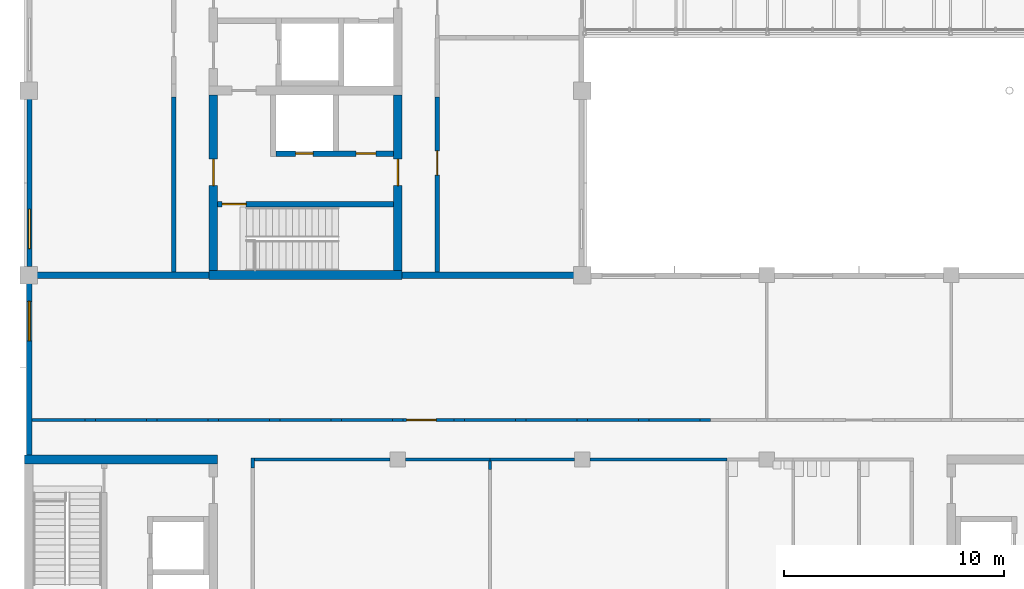
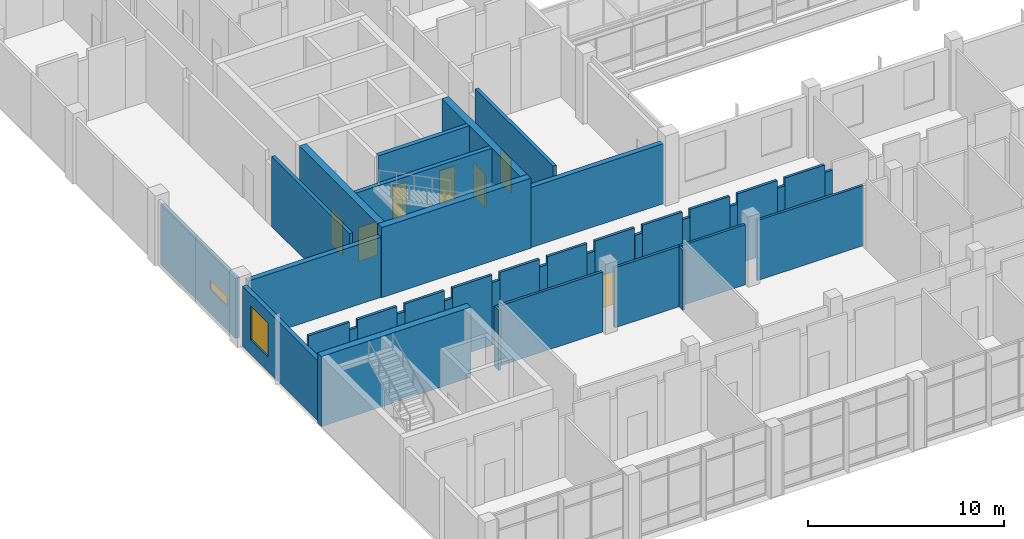
# One storey, part 32 of 70: 40 walls, 7 doors, 2 windows, 9 openings.
"""IFC4 building model written with IfcOpenShell, lengths in metres."""

from ifc_helpers import new_model, si_unit, direction, frame, frame_2d, origin, place, context, subcontext, project, spatial, rectangle, extrude, material, layer, layer_set, type_object, element, fill, save


model = new_model("IFC4")

# Units and contexts
model_context = context("Model", 3, precision=1e-05, world=origin(), true_north=direction((0.0, 1.0)))
body_context = subcontext(model_context, "Body", "Model", "MODEL_VIEW")
ifc_project = project(units=[si_unit("LENGTHUNIT", "METRE"), si_unit("AREAUNIT", "SQUARE_METRE"), si_unit("VOLUMEUNIT", "CUBIC_METRE"), si_unit("PLANEANGLEUNIT", "RADIAN"), si_unit("MASSUNIT", "GRAM", prefix="KILO")], contexts=[model_context])

# Site, building, storey
site_placement = place(None, origin())
site = spatial("IfcSite", under=ifc_project, at=site_placement, CompositionType="ELEMENT")
building_placement = place(site_placement, origin())
building = spatial("IfcBuilding", under=site, at=building_placement, Name="Hlaing Beacon Police Headquarters", CompositionType="ELEMENT")
storey_placement = place(building_placement, frame((0.0, 0.0, 5.39990234375)))
storey = spatial("IfcBuildingStorey", under=building, at=storey_placement, Name="L01", CompositionType="ELEMENT", Elevation=5.39990234375)

# Walls
ifc_material_1 = material(Name="Concrete C40/50", Category="concrete")
ifc_layer_1 = layer(ifc_material_1, 0.300048828125)
ifc_layer_set_1 = layer_set([ifc_layer_1], Name="Concrete C40/50")
wall_type_1 = type_object("IfcWallType", Name="Compartment wall 300", PredefinedType="SOLIDWALL", material=ifc_layer_set_1)
for number, where, z_axis, x_axis, name in (
    (1, (33.219970703125, 33.60009765625, 0.0), (0.0, 0.0, 1.0), (-1.0, 0.0, 0.0), "Compartment wall L01 N051"),
    (2, (16.60009765625, 33.60009765625, 0.0), (0.0, 0.0, 1.0), (-1.0, 0.0, 0.0), "Compartment wall L01 N052"),
):
    element("IfcWall", number, at=place(storey_placement, frame(where, z_axis=z_axis, x_axis=x_axis)), inside=storey, type_object=wall_type_1, Name=name, PredefinedType="SOLIDWALL", context=body_context, shape_type="SweptSolid", body=[
        extrude(rectangle(XDim=7.820068359375, YDim=0.300048828125, at=frame_2d((3.91015625, 0.0))), origin(), (0.0, 0.0, 1.0), 3.74609375),
    ])
ifc_material_2 = material(Name="Concrete C60/75", Category="concrete")
ifc_layer_2 = layer(ifc_material_2, 0.39990234375)
ifc_layer_set_2 = layer_set([ifc_layer_2], Name="Concrete C60/75")
wall_type_2 = type_object("IfcWallType", Name="Core shear wall 400", PredefinedType="SHEAR", material=ifc_layer_set_2)
wall_1_placement = place(storey_placement, frame((8.199951171875, 25.199951171875, 0.0), z_axis=(0.0, 0.0, 1.0), x_axis=(1.0, 0.0, 0.0)))
element("IfcWall", 3, at=wall_1_placement, inside=storey, type_object=wall_type_2, Name="Core shear wall", PredefinedType="SHEAR", context=body_context, shape_type="SweptSolid", body=[
    extrude(rectangle(XDim=8.800048828125, YDim=0.39990234375, at=frame_2d((4.39990234375, 0.0))), origin(), (0.0, 0.0, 1.0), 4.3701171875),
])
wall_2_placement = place(storey_placement, frame((16.60009765625, 33.60009765625, 0.0), z_axis=(0.0, 0.0, 1.0), x_axis=(1.0, 0.0, 0.0)))
element("IfcWall", 4, at=wall_2_placement, inside=storey, type_object=wall_type_2, Name="Core shear wall", PredefinedType="SHEAR", context=body_context, shape_type="SweptSolid", body=[
    extrude(rectangle(XDim=8.7998046875, YDim=0.39990234375, at=frame_2d((4.39990234375, 0.0))), origin(), (0.0, 0.0, 1.0), 4.3701171875),
])

# Wall, opening, door
wall_3_placement = place(storey_placement, frame((16.800048828125, 33.800048828125, 0.0), z_axis=(0.0, 0.0, 1.0), x_axis=(0.0, 1.0, 0.0)))
wall_3 = element("IfcWall", 5, at=wall_3_placement, inside=storey, type_object=wall_type_2, Name="Core shear wall", PredefinedType="SHEAR", context=body_context, shape_type="SweptSolid", body=[
    extrude(rectangle(XDim=8.0, YDim=0.39990234375, at=frame_2d((4.0, 0.0))), origin(), (0.0, 0.0, 1.0), 4.3701171875),
])
opening_1_placement = place(wall_3_placement, frame((3.875, 0.0, 0.0)))
opening_1 = element("IfcOpeningElement", 6, at=opening_1_placement, cuts=wall_3, Name="Opening L01-962", PredefinedType="OPENING", context=body_context, shape_type="SweptSolid", body=[
    extrude(rectangle(XDim=1.199951171875, YDim=2.10009765625, at=frame_2d((0.60009765625, 1.050048828125))), frame((0.0, 0.2099609375, 0.0), z_axis=(0.0, -1.0, 0.0), x_axis=(1.0, 0.0, 0.0)), (0.0, 0.0, 1.0), 0.419921875),
])
ifc_material_3 = material(Name="Steel fire door leaf", Category="steel")
ifc_layer_3 = layer(ifc_material_3, 0.070068359375)
ifc_layer_set_3 = layer_set([ifc_layer_3], Name="Steel fire door leaf")
door_type_1 = type_object("IfcDoorType", Name="Steel fire door FD60S 1200x2100", OperationType="SINGLE_SWING_LEFT", PredefinedType="DOOR", material=ifc_layer_set_3)
door_1_placement = place(opening_1_placement, frame((1.199951171875, 0.0, 0.0), z_axis=(0.0, 0.0, 1.0), x_axis=(-1.0, 0.0, 0.0)))
door_1 = element("IfcDoor", 7, at=door_1_placement, inside=storey, type_object=door_type_1, Name="Door Stair Lobby ST-N Entry", OperationType="SINGLE_SWING_RIGHT", OverallHeight=2.10009765625, OverallWidth=1.199951171875, PredefinedType="DOOR", context=body_context, shape_type="SweptSolid", body=[
    extrude(rectangle(XDim=1.199951171875, YDim=2.10009765625, at=frame_2d((0.599853515625, 1.050048828125))), frame((0.0, 0.034912109375, 0.0), z_axis=(0.0, -1.0, 0.0), x_axis=(1.0, 0.0, 0.0)), (0.0, 0.0, 1.0), 0.070068359375),
])
fill(opening_1, door_1)

wall_4_placement = place(storey_placement, frame((25.199951171875, 33.800048828125, 0.0), z_axis=(0.0, 0.0, 1.0), x_axis=(0.0, 1.0, 0.0)))
wall_4 = element("IfcWall", 8, at=wall_4_placement, inside=storey, type_object=wall_type_2, Name="Core shear wall", PredefinedType="SHEAR", context=body_context, shape_type="SweptSolid", body=[
    extrude(rectangle(XDim=8.0, YDim=0.39990234375, at=frame_2d((4.0, 0.0))), origin(), (0.0, 0.0, 1.0), 4.3701171875),
])
opening_2_placement = place(wall_4_placement, frame((3.875, 0.0, 0.0)))
opening_2 = element("IfcOpeningElement", 9, at=opening_2_placement, cuts=wall_4, Name="Opening L01-963", PredefinedType="OPENING", context=body_context, shape_type="SweptSolid", body=[
    extrude(rectangle(XDim=1.199951171875, YDim=2.10009765625, at=frame_2d((0.60009765625, 1.050048828125))), frame((0.0, 0.2099609375, 0.0), z_axis=(0.0, -1.0, 0.0), x_axis=(1.0, 0.0, 0.0)), (0.0, 0.0, 1.0), 0.419921875),
])
door_2_placement = place(opening_2_placement, origin())
door_2 = element("IfcDoor", 10, at=door_2_placement, inside=storey, type_object=door_type_1, Name="Door Stair Lobby ST-N Entry", OperationType="SINGLE_SWING_LEFT", OverallHeight=2.10009765625, OverallWidth=1.199951171875, PredefinedType="DOOR", context=body_context, shape_type="SweptSolid", body=[
    extrude(rectangle(XDim=1.199951171875, YDim=2.10009765625, at=frame_2d((0.60009765625, 1.050048828125))), frame((0.0, 0.03515625, 0.0), z_axis=(0.0, -1.0, 0.0), x_axis=(1.0, 0.0, 0.0)), (0.0, 0.0, 1.0), 0.070068359375),
])
fill(opening_2, door_2)

# Walls
ifc_material_4 = material(Name="Gypsum board partition")
ifc_layer_4 = layer(ifc_material_4, 0.14990234375)
ifc_layer_set_4 = layer_set([ifc_layer_4], Name="Gypsum board partition")
wall_type_3 = type_object("IfcWallType", Name="Corridor wall EI 30 150", PredefinedType="PARTITIONING", material=ifc_layer_set_4)
wall_5_placement = place(storey_placement, frame((18.60009765625, 24.81494140625, 0.0), z_axis=(0.0, 0.0, 1.0), x_axis=(0.0, 1.0, 0.0)))
element("IfcWall", 11, at=wall_5_placement, inside=storey, type_object=wall_type_3, Name="Corridor wall EI 30 150", PredefinedType="PARTITIONING", context=body_context, shape_type="SweptSolid", body=[
    extrude(rectangle(XDim=0.4599609375, YDim=0.14990234375, at=frame_2d((0.22998046875, 0.0))), origin(), (0.0, 0.0, 1.0), 3.74609375),
])
wall_6_placement = place(storey_placement, frame((18.675048828125, 25.199951171875, 0.0), z_axis=(0.0, 0.0, 1.0), x_axis=(1.0, 0.0, 0.0)))
element("IfcWall", 12, at=wall_6_placement, inside=storey, type_object=wall_type_3, Name="Corridor wall EI 30 150", PredefinedType="PARTITIONING", context=body_context, shape_type="SweptSolid", body=[
    extrude(rectangle(XDim=6.175048828125, YDim=0.14990234375, at=frame_2d((3.08740234375, 0.0))), origin(), (0.0, 0.0, 1.0), 3.74609375),
])
wall_7_placement = place(storey_placement, frame((25.550048828125, 25.199951171875, 0.0), z_axis=(0.0, 0.0, 1.0), x_axis=(1.0, 0.0, 0.0)))
element("IfcWall", 13, at=wall_7_placement, inside=storey, type_object=wall_type_3, Name="Corridor wall EI 30 150", PredefinedType="PARTITIONING", context=body_context, shape_type="SweptSolid", body=[
    extrude(rectangle(XDim=3.849853515625, YDim=0.14990234375, at=frame_2d((1.9248046875, 0.0))), origin(), (0.0, 0.0, 1.0), 3.74609375),
])
wall_8_placement = place(storey_placement, frame((29.39990234375, 25.199951171875, 0.0), z_axis=(0.0, 0.0, 1.0), x_axis=(1.0, 0.0, 0.0)))
element("IfcWall", 14, at=wall_8_placement, inside=storey, type_object=wall_type_3, Name="Corridor wall EI 30 150", PredefinedType="PARTITIONING", context=body_context, shape_type="SweptSolid", body=[
    extrude(rectangle(XDim=3.85009765625, YDim=0.14990234375, at=frame_2d((1.925048828125, 0.0))), origin(), (0.0, 0.0, 1.0), 3.74609375),
])
wall_9_placement = place(storey_placement, frame((33.949951171875, 25.199951171875, 0.0), z_axis=(0.0, 0.0, 1.0), x_axis=(1.0, 0.0, 0.0)))
element("IfcWall", 15, at=wall_9_placement, inside=storey, type_object=wall_type_3, Name="Corridor wall EI 30 150", PredefinedType="PARTITIONING", context=body_context, shape_type="SweptSolid", body=[
    extrude(rectangle(XDim=6.25, YDim=0.14990234375, at=frame_2d((3.125, 0.0))), origin(), (0.0, 0.0, 1.0), 3.74609375),
])
wall_10_placement = place(storey_placement, frame((8.550048828125, 27.0, 0.0), z_axis=(0.0, 0.0, 1.0), x_axis=(1.0, 0.0, 0.0)))
element("IfcWall", 16, at=wall_10_placement, inside=storey, type_object=wall_type_3, Name="Corridor wall EI 30 150", PredefinedType="PARTITIONING", context=body_context, shape_type="SweptSolid", body=[
    extrude(rectangle(XDim=2.419921875, YDim=0.14990234375, at=frame_2d((1.2099609375, 0.0))), origin(), (0.0, 0.0, 1.0), 4.3701171875),
])
wall_11_placement = place(storey_placement, frame((10.969970703125, 27.0, 0.0), z_axis=(0.0, 0.0, 1.0), x_axis=(1.0, 0.0, 0.0)))
element("IfcWall", 17, at=wall_11_placement, inside=storey, type_object=wall_type_3, Name="Corridor wall EI 30 150", PredefinedType="PARTITIONING", context=body_context, shape_type="SweptSolid", body=[
    extrude(rectangle(XDim=0.4599609375, YDim=0.14990234375, at=frame_2d((0.22998046875, 0.0))), origin(), (0.0, 0.0, 1.0), 3.89501953125),
])
wall_12_placement = place(storey_placement, frame((11.429931640625, 27.0, 0.0), z_axis=(0.0, 0.0, 1.0), x_axis=(1.0, 0.0, 0.0)))
element("IfcWall", 18, at=wall_12_placement, inside=storey, type_object=wall_type_3, Name="Corridor wall EI 30 150", PredefinedType="PARTITIONING", context=body_context, shape_type="SweptSolid", body=[
    extrude(rectangle(XDim=2.340087890625, YDim=0.14990234375, at=frame_2d((1.169921875, 0.0))), origin(), (0.0, 0.0, 1.0), 4.3701171875),
])
wall_13_placement = place(storey_placement, frame((13.77001953125, 27.0, 0.0), z_axis=(0.0, 0.0, 1.0), x_axis=(1.0, 0.0, 0.0)))
element("IfcWall", 19, at=wall_13_placement, inside=storey, type_object=wall_type_3, Name="Corridor wall EI 30 150", PredefinedType="PARTITIONING", context=body_context, shape_type="SweptSolid", body=[
    extrude(rectangle(XDim=0.4599609375, YDim=0.14990234375, at=frame_2d((0.22998046875, 0.0))), origin(), (0.0, 0.0, 1.0), 3.89501953125),
])
wall_14_placement = place(storey_placement, frame((14.22998046875, 27.0, 0.0), z_axis=(0.0, 0.0, 1.0), x_axis=(1.0, 0.0, 0.0)))
element("IfcWall", 20, at=wall_14_placement, inside=storey, type_object=wall_type_3, Name="Corridor wall EI 30 150", PredefinedType="PARTITIONING", context=body_context, shape_type="SweptSolid", body=[
    extrude(rectangle(XDim=2.340087890625, YDim=0.14990234375, at=frame_2d((1.169921875, 0.0))), origin(), (0.0, 0.0, 1.0), 4.3701171875),
])
wall_15_placement = place(storey_placement, frame((16.570068359375, 27.0, 0.0), z_axis=(0.0, 0.0, 1.0), x_axis=(1.0, 0.0, 0.0)))
element("IfcWall", 21, at=wall_15_placement, inside=storey, type_object=wall_type_3, Name="Corridor wall EI 30 150", PredefinedType="PARTITIONING", context=body_context, shape_type="SweptSolid", body=[
    extrude(rectangle(XDim=0.4599609375, YDim=0.14990234375, at=frame_2d((0.22998046875, 0.0))), origin(), (0.0, 0.0, 1.0), 3.74609375),
])
wall_16_placement = place(storey_placement, frame((17.030029296875, 27.0, 0.0), z_axis=(0.0, 0.0, 1.0), x_axis=(1.0, 0.0, 0.0)))
element("IfcWall", 22, at=wall_16_placement, inside=storey, type_object=wall_type_3, Name="Corridor wall EI 30 150", PredefinedType="PARTITIONING", context=body_context, shape_type="SweptSolid", body=[
    extrude(rectangle(XDim=2.340087890625, YDim=0.14990234375, at=frame_2d((1.169921875, 0.0))), origin(), (0.0, 0.0, 1.0), 4.3701171875),
])
wall_17_placement = place(storey_placement, frame((19.3701171875, 27.0, 0.0), z_axis=(0.0, 0.0, 1.0), x_axis=(1.0, 0.0, 0.0)))
element("IfcWall", 23, at=wall_17_placement, inside=storey, type_object=wall_type_3, Name="Corridor wall EI 30 150", PredefinedType="PARTITIONING", context=body_context, shape_type="SweptSolid", body=[
    extrude(rectangle(XDim=0.4599609375, YDim=0.14990234375, at=frame_2d((0.22998046875, 0.0))), origin(), (0.0, 0.0, 1.0), 3.89501953125),
])
wall_18_placement = place(storey_placement, frame((19.830078125, 27.0, 0.0), z_axis=(0.0, 0.0, 1.0), x_axis=(1.0, 0.0, 0.0)))
element("IfcWall", 24, at=wall_18_placement, inside=storey, type_object=wall_type_3, Name="Corridor wall EI 30 150", PredefinedType="PARTITIONING", context=body_context, shape_type="SweptSolid", body=[
    extrude(rectangle(XDim=2.33984375, YDim=0.14990234375, at=frame_2d((1.169921875, 0.0))), origin(), (0.0, 0.0, 1.0), 4.3701171875),
])
wall_19_placement = place(storey_placement, frame((22.169921875, 27.0, 0.0), z_axis=(0.0, 0.0, 1.0), x_axis=(1.0, 0.0, 0.0)))
element("IfcWall", 25, at=wall_19_placement, inside=storey, type_object=wall_type_3, Name="Corridor wall EI 30 150", PredefinedType="PARTITIONING", context=body_context, shape_type="SweptSolid", body=[
    extrude(rectangle(XDim=0.4599609375, YDim=0.14990234375, at=frame_2d((0.22998046875, 0.0))), origin(), (0.0, 0.0, 1.0), 3.89501953125),
])
wall_20_placement = place(storey_placement, frame((22.6298828125, 27.0, 0.0), z_axis=(0.0, 0.0, 1.0), x_axis=(1.0, 0.0, 0.0)))
element("IfcWall", 26, at=wall_20_placement, inside=storey, type_object=wall_type_3, Name="Corridor wall EI 30 150", PredefinedType="PARTITIONING", context=body_context, shape_type="SweptSolid", body=[
    extrude(rectangle(XDim=2.340087890625, YDim=0.14990234375, at=frame_2d((1.169921875, 0.0))), origin(), (0.0, 0.0, 1.0), 4.3701171875),
])
wall_21_placement = place(storey_placement, frame((24.969970703125, 27.0, 0.0), z_axis=(0.0, 0.0, 1.0), x_axis=(1.0, 0.0, 0.0)))
element("IfcWall", 27, at=wall_21_placement, inside=storey, type_object=wall_type_3, Name="Corridor wall EI 30 150", PredefinedType="PARTITIONING", context=body_context, shape_type="SweptSolid", body=[
    extrude(rectangle(XDim=0.4599609375, YDim=0.14990234375, at=frame_2d((0.22998046875, 0.0))), origin(), (0.0, 0.0, 1.0), 3.74609375),
])

# Wall, opening, door
wall_22_placement = place(storey_placement, frame((25.429931640625, 27.0, 0.0), z_axis=(0.0, 0.0, 1.0), x_axis=(1.0, 0.0, 0.0)))
wall_22 = element("IfcWall", 28, at=wall_22_placement, inside=storey, type_object=wall_type_3, Name="Corridor wall EI 30 150", PredefinedType="PARTITIONING", context=body_context, shape_type="SweptSolid", body=[
    extrude(rectangle(XDim=2.340087890625, YDim=0.14990234375, at=frame_2d((1.169921875, 0.0))), origin(), (0.0, 0.0, 1.0), 4.3701171875),
])
opening_3_placement = place(wall_22_placement, frame((0.169921875, 0.0, 0.0)))
opening_3 = element("IfcOpeningElement", 29, at=opening_3_placement, cuts=wall_22, Name="Opening L01-037", PredefinedType="OPENING", context=body_context, shape_type="SweptSolid", body=[
    extrude(rectangle(XDim=1.35009765625, YDim=2.10009765625, at=frame_2d((0.675048828125, 1.050048828125))), frame((0.0, 0.0849609375, 0.0), z_axis=(0.0, -1.0, 0.0), x_axis=(1.0, 0.0, 0.0)), (0.0, 0.0, 1.0), 0.169921875),
])
ifc_material_5 = material(Name="Hardwood door leaf", Category="wood")
ifc_layer_5 = layer(ifc_material_5, 0.050048828125)
ifc_layer_set_5 = layer_set([ifc_layer_5], Name="Hardwood door leaf")
door_type_2 = type_object("IfcDoorType", Name="Fire leaf-and-a-half door FD30S 1350x2100", OperationType="DOUBLE_DOOR_SINGLE_SWING", PredefinedType="DOOR", material=ifc_layer_set_5)
door_3_placement = place(opening_3_placement, origin())
door_3 = element("IfcDoor", 30, at=door_3_placement, inside=storey, type_object=door_type_2, Name="Door Strategy and Planning Office", OperationType="DOUBLE_DOOR_SINGLE_SWING", OverallHeight=2.10009765625, OverallWidth=1.35009765625, PredefinedType="DOOR", context=body_context, shape_type="SweptSolid", body=[
    extrude(rectangle(XDim=1.35009765625, YDim=2.10009765625, at=frame_2d((0.675048828125, 1.050048828125))), frame((0.0, 0.02490234375, 0.0), z_axis=(0.0, -1.0, 0.0), x_axis=(1.0, 0.0, 0.0)), (0.0, 0.0, 1.0), 0.050048828125),
])
fill(opening_3, door_3)

# Walls
wall_23_placement = place(storey_placement, frame((27.77001953125, 27.0, 0.0), z_axis=(0.0, 0.0, 1.0), x_axis=(1.0, 0.0, 0.0)))
element("IfcWall", 31, at=wall_23_placement, inside=storey, type_object=wall_type_3, Name="Corridor wall EI 30 150", PredefinedType="PARTITIONING", context=body_context, shape_type="SweptSolid", body=[
    extrude(rectangle(XDim=0.4599609375, YDim=0.14990234375, at=frame_2d((0.22998046875, 0.0))), origin(), (0.0, 0.0, 1.0), 3.89501953125),
])
wall_24_placement = place(storey_placement, frame((28.22998046875, 27.0, 0.0), z_axis=(0.0, 0.0, 1.0), x_axis=(1.0, 0.0, 0.0)))
element("IfcWall", 32, at=wall_24_placement, inside=storey, type_object=wall_type_3, Name="Corridor wall EI 30 150", PredefinedType="PARTITIONING", context=body_context, shape_type="SweptSolid", body=[
    extrude(rectangle(XDim=2.340087890625, YDim=0.14990234375, at=frame_2d((1.169921875, 0.0))), origin(), (0.0, 0.0, 1.0), 4.3701171875),
])
wall_25_placement = place(storey_placement, frame((30.570068359375, 27.0, 0.0), z_axis=(0.0, 0.0, 1.0), x_axis=(1.0, 0.0, 0.0)))
element("IfcWall", 33, at=wall_25_placement, inside=storey, type_object=wall_type_3, Name="Corridor wall EI 30 150", PredefinedType="PARTITIONING", context=body_context, shape_type="SweptSolid", body=[
    extrude(rectangle(XDim=0.4599609375, YDim=0.14990234375, at=frame_2d((0.22998046875, 0.0))), origin(), (0.0, 0.0, 1.0), 3.89501953125),
])
wall_26_placement = place(storey_placement, frame((31.030029296875, 27.0, 0.0), z_axis=(0.0, 0.0, 1.0), x_axis=(1.0, 0.0, 0.0)))
element("IfcWall", 34, at=wall_26_placement, inside=storey, type_object=wall_type_3, Name="Corridor wall EI 30 150", PredefinedType="PARTITIONING", context=body_context, shape_type="SweptSolid", body=[
    extrude(rectangle(XDim=2.340087890625, YDim=0.14990234375, at=frame_2d((1.169921875, 0.0))), origin(), (0.0, 0.0, 1.0), 4.3701171875),
])
wall_27_placement = place(storey_placement, frame((33.3701171875, 27.0, 0.0), z_axis=(0.0, 0.0, 1.0), x_axis=(1.0, 0.0, 0.0)))
element("IfcWall", 35, at=wall_27_placement, inside=storey, type_object=wall_type_3, Name="Corridor wall EI 30 150", PredefinedType="PARTITIONING", context=body_context, shape_type="SweptSolid", body=[
    extrude(rectangle(XDim=0.4599609375, YDim=0.14990234375, at=frame_2d((0.22998046875, 0.0))), origin(), (0.0, 0.0, 1.0), 3.74609375),
])
wall_28_placement = place(storey_placement, frame((33.830078125, 27.0, 0.0), z_axis=(0.0, 0.0, 1.0), x_axis=(1.0, 0.0, 0.0)))
element("IfcWall", 36, at=wall_28_placement, inside=storey, type_object=wall_type_3, Name="Corridor wall EI 30 150", PredefinedType="PARTITIONING", context=body_context, shape_type="SweptSolid", body=[
    extrude(rectangle(XDim=2.33984375, YDim=0.14990234375, at=frame_2d((1.169921875, 0.0))), origin(), (0.0, 0.0, 1.0), 4.3701171875),
])
wall_29_placement = place(storey_placement, frame((36.169921875, 27.0, 0.0), z_axis=(0.0, 0.0, 1.0), x_axis=(1.0, 0.0, 0.0)))
element("IfcWall", 37, at=wall_29_placement, inside=storey, type_object=wall_type_3, Name="Corridor wall EI 30 150", PredefinedType="PARTITIONING", context=body_context, shape_type="SweptSolid", body=[
    extrude(rectangle(XDim=0.4599609375, YDim=0.14990234375, at=frame_2d((0.22998046875, 0.0))), origin(), (0.0, 0.0, 1.0), 3.89501953125),
])
wall_30_placement = place(storey_placement, frame((36.6298828125, 27.0, 0.0), z_axis=(0.0, 0.0, 1.0), x_axis=(1.0, 0.0, 0.0)))
element("IfcWall", 38, at=wall_30_placement, inside=storey, type_object=wall_type_3, Name="Corridor wall EI 30 150", PredefinedType="PARTITIONING", context=body_context, shape_type="SweptSolid", body=[
    extrude(rectangle(XDim=2.340087890625, YDim=0.14990234375, at=frame_2d((1.169921875, 0.0))), origin(), (0.0, 0.0, 1.0), 4.3701171875),
])
wall_31_placement = place(storey_placement, frame((38.969970703125, 27.0, 0.0), z_axis=(0.0, 0.0, 1.0), x_axis=(1.0, 0.0, 0.0)))
element("IfcWall", 39, at=wall_31_placement, inside=storey, type_object=wall_type_3, Name="Corridor wall EI 30 150", PredefinedType="PARTITIONING", context=body_context, shape_type="SweptSolid", body=[
    extrude(rectangle(XDim=0.4599609375, YDim=0.14990234375, at=frame_2d((0.22998046875, 0.0))), origin(), (0.0, 0.0, 1.0), 3.89501953125),
])

# Wall, opening, door
ifc_material_6 = material(Name="Concrete blockwork 7.5 N/mm2", Category="masonry")
ifc_layer_6 = layer(ifc_material_6, 0.199951171875)
ifc_layer_set_6 = layer_set([ifc_layer_6], Name="Concrete blockwork 7.5 N/mm2")
wall_type_4 = type_object("IfcWallType", Name="Laboratory wall EI 60 200", PredefinedType="PARTITIONING", material=ifc_layer_set_6)
wall_32_placement = place(storey_placement, frame((27.0, 33.75, 0.0), z_axis=(0.0, 0.0, 1.0), x_axis=(0.0, 1.0, 0.0)))
wall_32 = element("IfcWall", 40, at=wall_32_placement, inside=storey, type_object=wall_type_4, Name="Laboratory wall EI 60 200", PredefinedType="PARTITIONING", context=body_context, shape_type="SweptSolid", body=[
    extrude(rectangle(XDim=7.945068359375, YDim=0.199951171875, at=frame_2d((3.97265625, 0.0))), origin(), (0.0, 0.0, 1.0), 4.3701171875),
])
opening_4_placement = place(wall_32_placement, frame((4.39990234375, 0.0, 0.0)))
opening_4 = element("IfcOpeningElement", 41, at=opening_4_placement, cuts=wall_32, Name="Opening L01-059", PredefinedType="OPENING", context=body_context, shape_type="SweptSolid", body=[
    extrude(rectangle(XDim=1.10009765625, YDim=2.10009765625, at=frame_2d((0.550048828125, 1.050048828125))), frame((0.0, 0.10986328125, 0.0), z_axis=(0.0, -1.0, 0.0), x_axis=(1.0, 0.0, 0.0)), (0.0, 0.0, 1.0), 0.219970703125),
])
ifc_material_7 = material(Name="Hardwood door leaf", Category="wood")
ifc_layer_7 = layer(ifc_material_7, 0.050048828125)
ifc_layer_set_7 = layer_set([ifc_layer_7], Name="Hardwood door leaf")
door_type_3 = type_object("IfcDoorType", Name="Fire door FD30 1100x2100", OperationType="SINGLE_SWING_LEFT", PredefinedType="DOOR", material=ifc_layer_set_7)
door_4_placement = place(opening_4_placement, frame((1.10009765625, 0.0, 0.0), z_axis=(0.0, 0.0, 1.0), x_axis=(-1.0, 0.0, 0.0)))
door_4 = element("IfcDoor", 42, at=door_4_placement, inside=storey, type_object=door_type_3, Name="Door Biology Laboratory", OperationType="SINGLE_SWING_RIGHT", OverallHeight=2.10009765625, OverallWidth=1.10009765625, PredefinedType="DOOR", context=body_context, shape_type="SweptSolid", body=[
    extrude(rectangle(XDim=1.10009765625, YDim=2.10009765625, at=frame_2d((0.550048828125, 1.050048828125))), frame((0.0, 0.025146484375, 0.0), z_axis=(0.0, -1.0, 0.0), x_axis=(1.0, 0.0, 0.0)), (0.0, 0.0, 1.0), 0.050048828125),
])
fill(opening_4, door_4)

# Walls
wall_33_placement = place(storey_placement, frame((15.0, 33.75, 0.0), z_axis=(0.0, 0.0, 1.0), x_axis=(0.0, 1.0, 0.0)))
element("IfcWall", 43, at=wall_33_placement, inside=storey, type_object=wall_type_4, Name="Laboratory wall EI 60 200", PredefinedType="PARTITIONING", context=body_context, shape_type="SweptSolid", body=[
    extrude(rectangle(XDim=7.945068359375, YDim=0.199951171875, at=frame_2d((3.97265625, 0.0))), origin(), (0.0, 0.0, 1.0), 4.3701171875),
])
ifc_material_8 = material(Name="Gypsum board partition")
ifc_layer_8 = layer(ifc_material_8, 0.125)
ifc_layer_set_8 = layer_set([ifc_layer_8], Name="Gypsum board partition")
wall_type_5 = type_object("IfcWallType", Name="Partition 125", PredefinedType="PARTITIONING", material=ifc_layer_set_8)
wall_34_placement = place(storey_placement, frame((29.39990234375, 24.739990234375, 0.0), z_axis=(0.0, 0.0, 1.0), x_axis=(0.0, 1.0, 0.0)))
element("IfcWall", 44, at=wall_34_placement, inside=storey, type_object=wall_type_5, Name="Partition 125", PredefinedType="PARTITIONING", context=body_context, shape_type="SweptSolid", body=[
    extrude(rectangle(XDim=0.385009765625, YDim=0.125, at=frame_2d((0.1923828125, 0.0))), origin(), (0.0, 0.0, 1.0), 3.74609375),
])

# Wall, opening, window
ifc_material_9 = material(Name="Concrete C40/50 precast ribbed cladding", Category="concrete")
ifc_layer_9 = layer(ifc_material_9, 0.25)
ifc_layer_set_9 = layer_set([ifc_layer_9], Name="Concrete C40/50 precast ribbed cladding")
wall_type_6 = type_object("IfcWallType", Name="Precast ribbed wall 250", PredefinedType="SOLIDWALL", material=ifc_layer_set_9)
wall_35_placement = place(storey_placement, frame((8.425048828125, 33.219970703125, 0.0), z_axis=(0.0, 0.0, 1.0), x_axis=(0.0, -1.0, 0.0)))
wall_35 = element("IfcWall", 45, at=wall_35_placement, inside=storey, type_object=wall_type_6, Name="External wall L01 W011", PredefinedType="SOLIDWALL", context=body_context, shape_type="SweptSolid", body=[
    extrude(rectangle(XDim=7.820068359375, YDim=0.25, at=frame_2d((3.91015625, 0.0))), origin(), (0.0, 0.0, 1.0), 3.74609375),
])
opening_5_placement = place(wall_35_placement, frame((0.820068359375, 0.0, 0.89990234375)))
opening_5 = element("IfcOpeningElement", 46, at=opening_5_placement, cuts=wall_35, Name="Opening WN16", PredefinedType="OPENING", context=body_context, shape_type="SweptSolid", body=[
    extrude(rectangle(XDim=1.800048828125, YDim=2.10009765625, at=frame_2d((0.89990234375, 1.050048828125))), frame((0.0, 0.135009765625, 0.0), z_axis=(0.0, -1.0, 0.0), x_axis=(1.0, 0.0, 0.0)), (0.0, 0.0, 1.0), 0.27001953125),
])
ifc_material_10 = material(Name="Aluminium frame with solar control glazing", Category="aluminium")
window_type_1 = type_object("IfcWindowType", Name="Wide window 1800x2100 frame 80", PartitioningType="SINGLE_PANEL", PredefinedType="WINDOW", material=ifc_material_10)
window_1_placement = place(opening_5_placement, origin())
window_1 = element("IfcWindow", 47, at=window_1_placement, inside=storey, type_object=window_type_1, Name="Window L01 WM", OverallHeight=2.10009765625, OverallWidth=1.800048828125, PartitioningType="SINGLE_PANEL", PredefinedType="WINDOW", context=body_context, shape_type="SweptSolid", body=[
    extrude(rectangle(XDim=1.800048828125, YDim=2.10009765625, at=frame_2d((0.89990234375, 1.050048828125))), frame((0.0, 0.0400390625, 0.0), z_axis=(0.0, -1.0, 0.0), x_axis=(1.0, 0.0, 0.0)), (0.0, 0.0, 1.0), 0.080078125),
])
fill(opening_5, window_1)

ifc_material_11 = material(Name="Fibre cement ribbed cladding on insulated frame")
ifc_layer_10 = layer(ifc_material_11, 0.22509765625)
ifc_layer_set_10 = layer_set([ifc_layer_10], Name="Fibre cement ribbed cladding on insulated frame")
wall_type_7 = type_object("IfcWallType", Name="Ribbed fibre-cement clad wall 225", PredefinedType="SOLIDWALL", material=ifc_layer_set_10)
wall_36_placement = place(storey_placement, frame((8.4375, 41.6201171875, 0.0), z_axis=(0.0, 0.0, 1.0), x_axis=(0.0, -1.0, 0.0)))
wall_36 = element("IfcWall", 48, at=wall_36_placement, inside=storey, type_object=wall_type_7, Name="External wall L01 W010", PredefinedType="SOLIDWALL", context=body_context, shape_type="SweptSolid", body=[
    extrude(rectangle(XDim=7.64013671875, YDim=0.22509765625, at=frame_2d((3.820068359375, 0.0))), origin(), (0.0, 0.0, 1.0), 3.74609375),
])
opening_6_placement = place(wall_36_placement, frame((5.02001953125, 0.0, 1.5)))
opening_6 = element("IfcOpeningElement", 49, at=opening_6_placement, cuts=wall_36, Name="Opening WN14", PredefinedType="OPENING", context=body_context, shape_type="SweptSolid", body=[
    extrude(rectangle(XDim=1.800048828125, YDim=0.60009765625, at=frame_2d((0.89990234375, 0.300048828125))), frame((0.0, 0.12255859375, 0.0), z_axis=(0.0, -1.0, 0.0), x_axis=(1.0, 0.0, 0.0)), (0.0, 0.0, 1.0), 0.2451171875),
])
ifc_material_12 = material(Name="Aluminium frame with solar control glazing", Category="aluminium")
window_type_2 = type_object("IfcWindowType", Name="Strip window 1800x600 frame 80", PartitioningType="SINGLE_PANEL", PredefinedType="WINDOW", material=ifc_material_12)
window_2_placement = place(opening_6_placement, origin())
window_2 = element("IfcWindow", 50, at=window_2_placement, inside=storey, type_object=window_type_2, Name="Window L01 WJ", OverallHeight=0.60009765625, OverallWidth=1.800048828125, PartitioningType="SINGLE_PANEL", PredefinedType="WINDOW", context=body_context, shape_type="SweptSolid", body=[
    extrude(rectangle(XDim=1.800048828125, YDim=0.60009765625, at=frame_2d((0.89990234375, 0.300048828125))), frame((0.0, 0.0400390625, 0.0), z_axis=(0.0, -1.0, 0.0), x_axis=(1.0, 0.0, 0.0)), (0.0, 0.0, 1.0), 0.080078125),
])
fill(opening_6, window_2)

# Wall, opening, door
ifc_material_13 = material(Name="Concrete C40/50", Category="concrete")
ifc_layer_11 = layer(ifc_material_13, 0.25)
ifc_layer_set_11 = layer_set([ifc_layer_11], Name="Concrete C40/50")
wall_type_8 = type_object("IfcWallType", Name="Shaft wall 250", PredefinedType="SOLIDWALL", material=ifc_layer_set_11)
wall_37_placement = place(storey_placement, frame((17.0, 36.824951171875, 0.0), z_axis=(0.0, 0.0, 1.0), x_axis=(1.0, 0.0, 0.0)))
wall_37 = element("IfcWall", 51, at=wall_37_placement, inside=storey, type_object=wall_type_8, Name="Stair enclosure wall", PredefinedType="SOLIDWALL", context=body_context, shape_type="SweptSolid", body=[
    extrude(rectangle(XDim=8.0, YDim=0.25, at=frame_2d((4.0, 0.0))), origin(), (0.0, 0.0, 1.0), 4.3701171875),
])
opening_7_placement = place(wall_37_placement, frame((0.199951171875, 0.0, 0.0)))
opening_7 = element("IfcOpeningElement", 52, at=opening_7_placement, cuts=wall_37, Name="Opening L01-965", PredefinedType="OPENING", context=body_context, shape_type="SweptSolid", body=[
    extrude(rectangle(XDim=1.10009765625, YDim=2.10009765625, at=frame_2d((0.550048828125, 1.050048828125))), frame((0.0, 0.135009765625, 0.0), z_axis=(0.0, -1.0, 0.0), x_axis=(1.0, 0.0, 0.0)), (0.0, 0.0, 1.0), 0.27001953125),
])
ifc_material_14 = material(Name="Steel fire door leaf", Category="steel")
ifc_layer_12 = layer(ifc_material_14, 0.070068359375)
ifc_layer_set_12 = layer_set([ifc_layer_12], Name="Steel fire door leaf")
door_type_4 = type_object("IfcDoorType", Name="Steel fire door FD60 1100x2100", OperationType="SINGLE_SWING_LEFT", PredefinedType="DOOR", material=ifc_layer_set_12)
door_5_placement = place(opening_7_placement, frame((1.10009765625, 0.0, 0.0), z_axis=(0.0, 0.0, 1.0), x_axis=(-1.0, 0.0, 0.0)))
door_5 = element("IfcDoor", 53, at=door_5_placement, inside=storey, type_object=door_type_4, Name="Door Stair ST-N", OperationType="SINGLE_SWING_LEFT", OverallHeight=2.10009765625, OverallWidth=1.10009765625, PredefinedType="DOOR", context=body_context, shape_type="SweptSolid", body=[
    extrude(rectangle(XDim=1.10009765625, YDim=2.10009765625, at=frame_2d((0.550048828125, 1.050048828125))), frame((0.0, 0.034912109375, 0.0), z_axis=(0.0, -1.0, 0.0), x_axis=(1.0, 0.0, 0.0)), (0.0, 0.0, 1.0), 0.070068359375),
])
fill(opening_7, door_5)

# Wall, openings, doors
wall_38_placement = place(storey_placement, frame((19.64990234375, 39.125, 0.0), z_axis=(0.0, 0.0, 1.0), x_axis=(1.0, 0.0, 0.0)))
wall_38 = element("IfcWall", 54, at=wall_38_placement, inside=storey, type_object=wall_type_8, Name="Lobby wall", PredefinedType="SOLIDWALL", context=body_context, shape_type="SweptSolid", body=[
    extrude(rectangle(XDim=5.35009765625, YDim=0.25, at=frame_2d((2.675048828125, 0.0))), origin(), (0.0, 0.0, 1.0), 4.3701171875),
])
opening_8_placement = place(wall_38_placement, frame((3.64990234375, 0.0, 0.0)))
opening_8 = element("IfcOpeningElement", 55, at=opening_8_placement, cuts=wall_38, Name="Opening L01-961", PredefinedType="OPENING", context=body_context, shape_type="SweptSolid", body=[
    extrude(rectangle(XDim=0.89990234375, YDim=2.10009765625, at=frame_2d((0.449951171875, 1.050048828125))), frame((0.0, 0.135009765625, 0.0), z_axis=(0.0, -1.0, 0.0), x_axis=(1.0, 0.0, 0.0)), (0.0, 0.0, 1.0), 0.27001953125),
])
opening_9_placement = place(wall_38_placement, frame((0.89990234375, 0.0, 0.0)))
opening_9 = element("IfcOpeningElement", 56, at=opening_9_placement, cuts=wall_38, Name="Opening L01-964", PredefinedType="OPENING", context=body_context, shape_type="SweptSolid", body=[
    extrude(rectangle(XDim=0.800048828125, YDim=2.10009765625, at=frame_2d((0.39990234375, 1.050048828125))), frame((0.0, 0.135009765625, 0.0), z_axis=(0.0, -1.0, 0.0), x_axis=(1.0, 0.0, 0.0)), (0.0, 0.0, 1.0), 0.27001953125),
])
ifc_material_15 = material(Name="Steel fire door leaf", Category="steel")
ifc_layer_13 = layer(ifc_material_15, 0.070068359375)
ifc_layer_set_13 = layer_set([ifc_layer_13], Name="Steel fire door leaf")
door_type_5 = type_object("IfcDoorType", Name="Steel fire door FD60 800x2100", OperationType="SINGLE_SWING_LEFT", PredefinedType="DOOR", material=ifc_layer_set_13)
door_6_placement = place(opening_9_placement, origin())
door_6 = element("IfcDoor", 57, at=door_6_placement, inside=storey, type_object=door_type_5, Name="Door Services Riser", OperationType="SINGLE_SWING_RIGHT", OverallHeight=2.10009765625, OverallWidth=0.800048828125, PredefinedType="DOOR", context=body_context, shape_type="SweptSolid", body=[
    extrude(rectangle(XDim=0.800048828125, YDim=2.10009765625, at=frame_2d((0.39990234375, 1.050048828125))), frame((0.0, 0.03515625, 0.0), z_axis=(0.0, -1.0, 0.0), x_axis=(1.0, 0.0, 0.0)), (0.0, 0.0, 1.0), 0.070068359375),
])
fill(opening_9, door_6)
ifc_material_16 = material(Name="Steel fire door leaf", Category="steel")
ifc_layer_14 = layer(ifc_material_16, 0.070068359375)
ifc_layer_set_14 = layer_set([ifc_layer_14], Name="Steel fire door leaf")
door_type_6 = type_object("IfcDoorType", Name="Steel fire door FD60 900x2100", OperationType="SINGLE_SWING_LEFT", PredefinedType="DOOR", material=ifc_layer_set_14)
door_7_placement = place(opening_8_placement, origin())
door_7 = element("IfcDoor", 58, at=door_7_placement, inside=storey, type_object=door_type_6, Name="Door Cleaners' Store", OperationType="SINGLE_SWING_LEFT", OverallHeight=2.10009765625, OverallWidth=0.89990234375, PredefinedType="DOOR", context=body_context, shape_type="SweptSolid", body=[
    extrude(rectangle(XDim=0.89990234375, YDim=2.10009765625, at=frame_2d((0.449951171875, 1.050048828125))), frame((0.0, 0.03515625, 0.0), z_axis=(0.0, -1.0, 0.0), x_axis=(1.0, 0.0, 0.0)), (0.0, 0.0, 1.0), 0.070068359375),
])
fill(opening_8, door_7)

save(model, "model.ifc")
